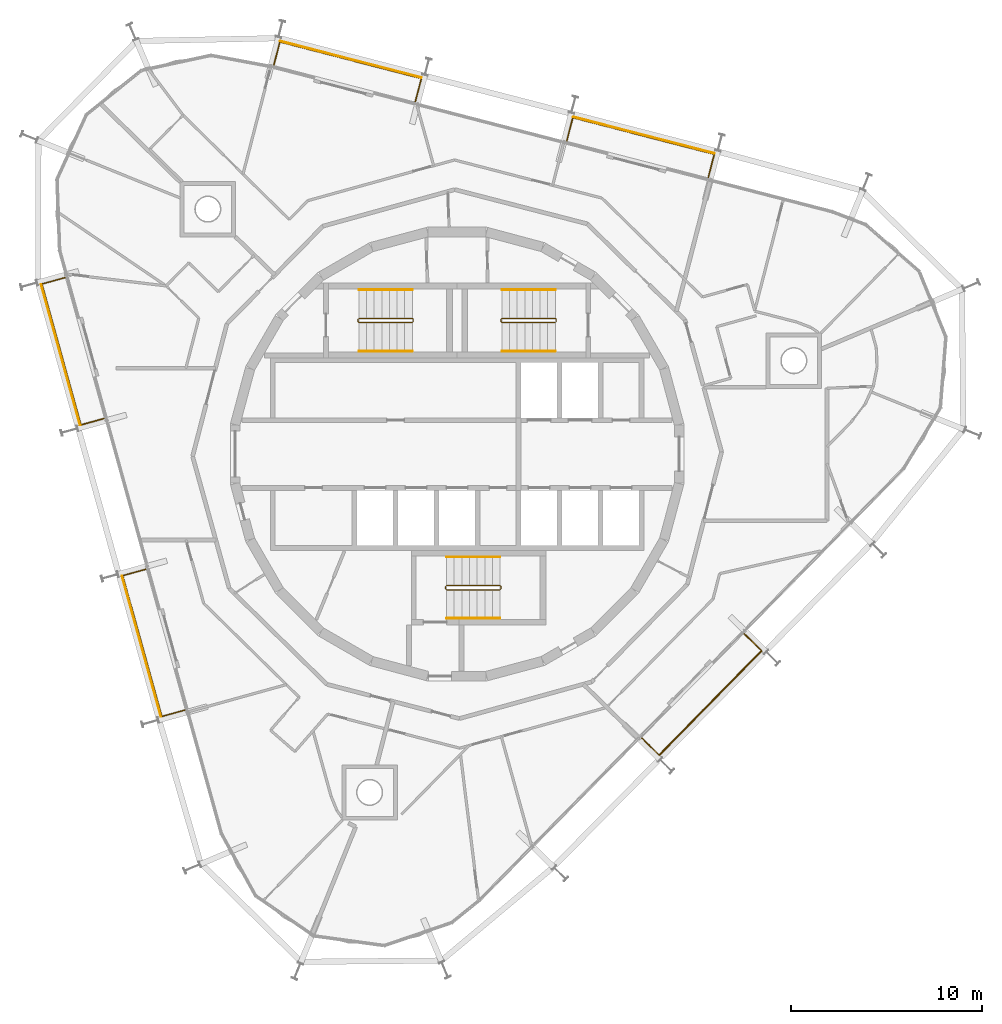
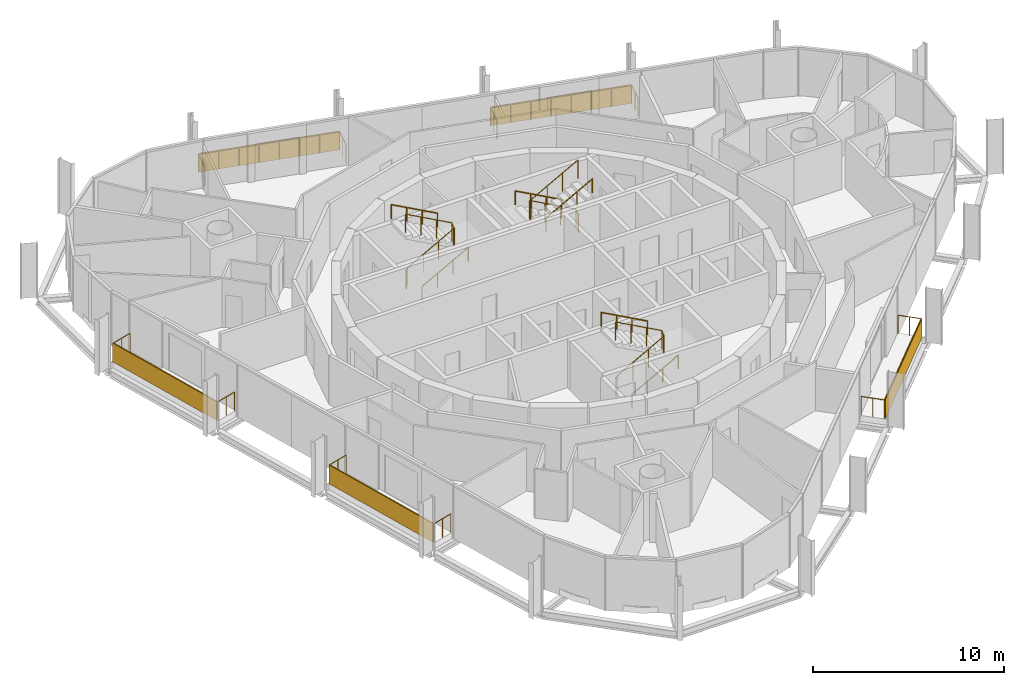
# One storey, part 15 of 15: 14 railings, 5 shading devices.
"""IFC4 building model written with IfcOpenShell, lengths in metres."""

from ifc_helpers import new_model, si_unit, direction, frame, origin, origin_2d, place, context, subcontext, project, spatial, rectangle, circle, extrude, material, layer, layer_set, type_object, element, save


model = new_model("IFC4")

# Units and contexts
model_context = context("Model", 3, precision=1e-05, world=origin(), true_north=direction((0.0, 1.0)))
body_context = subcontext(model_context, "Body", "Model", "MODEL_VIEW")
ifc_project = project(units=[si_unit("LENGTHUNIT", "METRE"), si_unit("AREAUNIT", "SQUARE_METRE"), si_unit("VOLUMEUNIT", "CUBIC_METRE"), si_unit("PLANEANGLEUNIT", "RADIAN"), si_unit("MASSUNIT", "GRAM", prefix="KILO")], contexts=[model_context])

# Site, building, storey
site_placement = place(None, origin())
site = spatial("IfcSite", under=ifc_project, at=site_placement, CompositionType="ELEMENT")
building_placement = place(site_placement, origin())
building = spatial("IfcBuilding", under=site, at=building_placement, Name="Spindle Arch Residences", CompositionType="ELEMENT")
storey_placement = place(building_placement, frame((0.0, 0.0, 315.699951171875)))
storey = spatial("IfcBuildingStorey", under=building, at=storey_placement, Name="L81", CompositionType="ELEMENT", Elevation=315.699951171875)

# Railings
ifc_material_1 = material(Name="Bronze anodised aluminium guard with glass infill", Category="aluminium")
railing_type_1 = type_object("IfcRailingType", Name="Balcony guard 1200", PredefinedType="GUARDRAIL", material=ifc_material_1)
railing_1_placement = place(storey_placement, frame((13.17724609375, 14.517822265625, 0.0)))
element("IfcRailing", 1, at=railing_1_placement, inside=storey, type_object=railing_type_1, Name="Guard L81 bay 6", PredefinedType="GUARDRAIL", context=body_context, shape_type="SweptSolid", body=[
    extrude(circle(Radius=0.02392578125, at=origin_2d()), frame((0.0, 0.0, 1.17578125), z_axis=(0.250385978254, 0.968146095325, 0.0), x_axis=(-0.968146095325, 0.250385978254, 0.0)), (0.0, 0.0, 1.0), 1.25),
    extrude(circle(Radius=0.02392578125, at=origin_2d()), frame((0.31298828125, 1.210205078125, 1.17578125), z_axis=(-0.968154898372, 0.250351937795, 0.0), x_axis=(-0.250351937795, -0.968154898372, 0.0)), (0.0, 0.0, 1.0), 7.6650390625),
    extrude(circle(Radius=0.02392578125, at=origin_2d()), frame((-7.10791015625, 3.129150390625, 1.17578125), z_axis=(-0.250433331774, -0.968133847325, 0.0), x_axis=(0.968133847325, -0.250433331774, 0.0)), (0.0, 0.0, 1.0), 1.249755859375),
    extrude(circle(Radius=0.02099609375, at=origin_2d()), origin(), (0.0, 0.0, 1.0), 1.15185546875),
    extrude(circle(Radius=0.02099609375, at=origin_2d()), frame((0.156494140625, 0.60498046875, 0.0)), (0.0, 0.0, 1.0), 1.15185546875),
    extrude(circle(Radius=0.02099609375, at=origin_2d()), frame((0.31298828125, 1.210205078125, 0.0)), (0.0, 0.0, 1.0), 1.15185546875),
    extrude(circle(Radius=0.02099609375, at=origin_2d()), frame((-0.7470703125, 1.484375, 0.0)), (0.0, 0.0, 1.0), 1.15185546875),
    extrude(circle(Radius=0.02099609375, at=origin_2d()), frame((-1.807373046875, 1.758544921875, 0.0)), (0.0, 0.0, 1.0), 1.15185546875),
    extrude(circle(Radius=0.02099609375, at=origin_2d()), frame((-2.867431640625, 2.03271484375, 0.0)), (0.0, 0.0, 1.0), 1.15185546875),
    extrude(circle(Radius=0.02099609375, at=origin_2d()), frame((-3.927490234375, 2.306640625, 0.0)), (0.0, 0.0, 1.0), 1.15185546875),
    extrude(circle(Radius=0.02099609375, at=origin_2d()), frame((-4.987548828125, 2.580810546875, 0.0)), (0.0, 0.0, 1.0), 1.15185546875),
    extrude(circle(Radius=0.02099609375, at=origin_2d()), frame((-6.0478515625, 2.85498046875, 0.0)), (0.0, 0.0, 1.0), 1.15185546875),
    extrude(circle(Radius=0.02099609375, at=origin_2d()), frame((-7.10791015625, 3.129150390625, 0.0)), (0.0, 0.0, 1.0), 1.15185546875),
    extrude(circle(Radius=0.02099609375, at=origin_2d()), frame((-7.264404296875, 2.524169921875, 0.0)), (0.0, 0.0, 1.0), 1.15185546875),
    extrude(circle(Radius=0.02099609375, at=origin_2d()), frame((-7.4208984375, 1.919189453125, 0.0)), (0.0, 0.0, 1.0), 1.15185546875),
])
railing_2_placement = place(storey_placement, frame((-2.1875, 18.4912109375, 0.0)))
element("IfcRailing", 2, at=railing_2_placement, inside=storey, type_object=railing_type_1, Name="Guard L81 bay 8", PredefinedType="GUARDRAIL", context=body_context, shape_type="SweptSolid", body=[
    extrude(circle(Radius=0.02392578125, at=origin_2d()), frame((0.0, 0.0, 1.17578125), z_axis=(0.250385978254, 0.968146095325, 0.0), x_axis=(-0.968146095325, 0.250385978254, 0.0)), (0.0, 0.0, 1.0), 1.25),
    extrude(circle(Radius=0.02392578125, at=origin_2d()), frame((0.31298828125, 1.210205078125, 1.17578125), z_axis=(-0.968147177851, 0.250381792508, 0.0), x_axis=(-0.250381792508, -0.968147177851, 0.0)), (0.0, 0.0, 1.0), 7.6650390625),
    extrude(circle(Radius=0.02392578125, at=origin_2d()), frame((-7.10791015625, 3.12939453125, 1.17578125), z_axis=(-0.250385978254, -0.968146095325, 0.0), x_axis=(0.968146095325, -0.250385978254, 0.0)), (0.0, 0.0, 1.0), 1.25),
    extrude(circle(Radius=0.02099609375, at=origin_2d()), origin(), (0.0, 0.0, 1.0), 1.15185546875),
    extrude(circle(Radius=0.02099609375, at=origin_2d()), frame((0.156494140625, 0.60498046875, 0.0)), (0.0, 0.0, 1.0), 1.15185546875),
    extrude(circle(Radius=0.02099609375, at=origin_2d()), frame((0.31298828125, 1.210205078125, 0.0)), (0.0, 0.0, 1.0), 1.15185546875),
    extrude(circle(Radius=0.02099609375, at=origin_2d()), frame((-0.7470703125, 1.484375, 0.0)), (0.0, 0.0, 1.0), 1.15185546875),
    extrude(circle(Radius=0.02099609375, at=origin_2d()), frame((-1.807373046875, 1.758544921875, 0.0)), (0.0, 0.0, 1.0), 1.15185546875),
    extrude(circle(Radius=0.02099609375, at=origin_2d()), frame((-2.867431640625, 2.03271484375, 0.0)), (0.0, 0.0, 1.0), 1.15185546875),
    extrude(circle(Radius=0.02099609375, at=origin_2d()), frame((-3.927490234375, 2.306884765625, 0.0)), (0.0, 0.0, 1.0), 1.15185546875),
    extrude(circle(Radius=0.02099609375, at=origin_2d()), frame((-4.987548828125, 2.5810546875, 0.0)), (0.0, 0.0, 1.0), 1.15185546875),
    extrude(circle(Radius=0.02099609375, at=origin_2d()), frame((-6.0478515625, 2.855224609375, 0.0)), (0.0, 0.0, 1.0), 1.15185546875),
    extrude(circle(Radius=0.02099609375, at=origin_2d()), frame((-7.10791015625, 3.12939453125, 0.0)), (0.0, 0.0, 1.0), 1.15185546875),
    extrude(circle(Radius=0.02099609375, at=origin_2d()), frame((-7.264404296875, 2.5244140625, 0.0)), (0.0, 0.0, 1.0), 1.15185546875),
    extrude(circle(Radius=0.02099609375, at=origin_2d()), frame((-7.4208984375, 1.919189453125, 0.0)), (0.0, 0.0, 1.0), 1.15185546875),
])
railing_3_placement = place(storey_placement, frame((-20.574951171875, 9.250732421875, 0.0)))
element("IfcRailing", 3, at=railing_3_placement, inside=storey, type_object=railing_type_1, Name="Guard L81 bay 12", PredefinedType="GUARDRAIL", context=body_context, shape_type="SweptSolid", body=[
    extrude(circle(Radius=0.02392578125, at=origin_2d()), frame((0.0, 0.0, 1.17578125), z_axis=(-0.963596211055, -0.267361818592, 0.0), x_axis=(0.267361818592, -0.963596211055, 0.0)), (0.0, 0.0, 1.0), 1.25),
    extrude(circle(Radius=0.02392578125, at=origin_2d()), frame((-1.20458984375, -0.334228515625, 1.17578125), z_axis=(0.267233148219, -0.963631903007, 0.0), x_axis=(0.963631903007, 0.267233148219, 0.0)), (0.0, 0.0, 1.0), 7.6650390625),
    extrude(circle(Radius=0.02392578125, at=origin_2d()), frame((0.84375, -7.720458984375, 1.17578125), z_axis=(0.963646510798, 0.267180467526, 0.0), x_axis=(-0.267180467526, 0.963646510798, 0.0)), (0.0, 0.0, 1.0), 1.25),
    extrude(circle(Radius=0.02099609375, at=origin_2d()), origin(), (0.0, 0.0, 1.0), 1.15185546875),
    extrude(circle(Radius=0.02099609375, at=origin_2d()), frame((-0.602294921875, -0.1669921875, 0.0)), (0.0, 0.0, 1.0), 1.15185546875),
    extrude(circle(Radius=0.02099609375, at=origin_2d()), frame((-1.20458984375, -0.334228515625, 0.0)), (0.0, 0.0, 1.0), 1.15185546875),
    extrude(circle(Radius=0.02099609375, at=origin_2d()), frame((-0.911865234375, -1.389404296875, 0.0)), (0.0, 0.0, 1.0), 1.15185546875),
    extrude(circle(Radius=0.02099609375, at=origin_2d()), frame((-0.619384765625, -2.444580078125, 0.0)), (0.0, 0.0, 1.0), 1.15185546875),
    extrude(circle(Radius=0.02099609375, at=origin_2d()), frame((-0.32666015625, -3.499755859375, 0.0)), (0.0, 0.0, 1.0), 1.15185546875),
    extrude(circle(Radius=0.02099609375, at=origin_2d()), frame((-0.0341796875, -4.554931640625, 0.0)), (0.0, 0.0, 1.0), 1.15185546875),
    extrude(circle(Radius=0.02099609375, at=origin_2d()), frame((0.258544921875, -5.610107421875, 0.0)), (0.0, 0.0, 1.0), 1.15185546875),
    extrude(circle(Radius=0.02099609375, at=origin_2d()), frame((0.551025390625, -6.665283203125, 0.0)), (0.0, 0.0, 1.0), 1.15185546875),
    extrude(circle(Radius=0.02099609375, at=origin_2d()), frame((0.84375, -7.720458984375, 0.0)), (0.0, 0.0, 1.0), 1.15185546875),
    extrude(circle(Radius=0.02099609375, at=origin_2d()), frame((1.446044921875, -7.553466796875, 0.0)), (0.0, 0.0, 1.0), 1.15185546875),
    extrude(circle(Radius=0.02099609375, at=origin_2d()), frame((2.04833984375, -7.386474609375, 0.0)), (0.0, 0.0, 1.0), 1.15185546875),
])
railing_4_placement = place(storey_placement, frame((-16.333984375, -6.042236328125, 0.0)))
element("IfcRailing", 4, at=railing_4_placement, inside=storey, type_object=railing_type_1, Name="Guard L81 bay 14", PredefinedType="GUARDRAIL", context=body_context, shape_type="SweptSolid", body=[
    extrude(circle(Radius=0.02392578125, at=origin_2d()), frame((0.0, 0.0, 1.17578125), z_axis=(-0.963596211055, -0.267361818592, 0.0), x_axis=(0.267361818592, -0.963596211055, 0.0)), (0.0, 0.0, 1.0), 1.25),
    extrude(circle(Radius=0.02392578125, at=origin_2d()), frame((-1.20458984375, -0.334228515625, 1.17578125), z_axis=(0.267262724609, -0.963623700432, 0.0), x_axis=(0.963623700432, 0.267262724609, 0.0)), (0.0, 0.0, 1.0), 7.6650390625),
    extrude(circle(Radius=0.02392578125, at=origin_2d()), frame((0.843994140625, -7.720458984375, 1.17578125), z_axis=(0.963632564766, 0.26723076193, 0.0), x_axis=(-0.26723076193, 0.963632564766, 0.0)), (0.0, 0.0, 1.0), 1.249755859375),
    extrude(circle(Radius=0.02099609375, at=origin_2d()), origin(), (0.0, 0.0, 1.0), 1.15185546875),
    extrude(circle(Radius=0.02099609375, at=origin_2d()), frame((-0.602294921875, -0.1669921875, 0.0)), (0.0, 0.0, 1.0), 1.15185546875),
    extrude(circle(Radius=0.02099609375, at=origin_2d()), frame((-1.20458984375, -0.334228515625, 0.0)), (0.0, 0.0, 1.0), 1.15185546875),
    extrude(circle(Radius=0.02099609375, at=origin_2d()), frame((-0.911865234375, -1.389404296875, 0.0)), (0.0, 0.0, 1.0), 1.15185546875),
    extrude(circle(Radius=0.02099609375, at=origin_2d()), frame((-0.619384765625, -2.444580078125, 0.0)), (0.0, 0.0, 1.0), 1.15185546875),
    extrude(circle(Radius=0.02099609375, at=origin_2d()), frame((-0.32666015625, -3.499755859375, 0.0)), (0.0, 0.0, 1.0), 1.15185546875),
    extrude(circle(Radius=0.02099609375, at=origin_2d()), frame((-0.033935546875, -4.554931640625, 0.0)), (0.0, 0.0, 1.0), 1.15185546875),
    extrude(circle(Radius=0.02099609375, at=origin_2d()), frame((0.2587890625, -5.610107421875, 0.0)), (0.0, 0.0, 1.0), 1.15185546875),
    extrude(circle(Radius=0.02099609375, at=origin_2d()), frame((0.55126953125, -6.665283203125, 0.0)), (0.0, 0.0, 1.0), 1.15185546875),
    extrude(circle(Radius=0.02099609375, at=origin_2d()), frame((0.843994140625, -7.720458984375, 0.0)), (0.0, 0.0, 1.0), 1.15185546875),
    extrude(circle(Radius=0.02099609375, at=origin_2d()), frame((1.4462890625, -7.553466796875, 0.0)), (0.0, 0.0, 1.0), 1.15185546875),
    extrude(circle(Radius=0.02099609375, at=origin_2d()), frame((2.04833984375, -7.386474609375, 0.0)), (0.0, 0.0, 1.0), 1.15185546875),
])
railing_5_placement = place(storey_placement, frame((9.69189453125, -14.8974609375, 0.0)))
element("IfcRailing", 5, at=railing_5_placement, inside=storey, type_object=railing_type_1, Name="Guard L81 bay 20", PredefinedType="GUARDRAIL", context=body_context, shape_type="SweptSolid", body=[
    extrude(circle(Radius=0.02392578125, at=origin_2d()), frame((0.0, 0.0, 1.17578125), z_axis=(0.713231937859, -0.700928101034, 0.0), x_axis=(0.700928101034, 0.713231937859, 0.0)), (0.0, 0.0, 1.0), 1.25),
    extrude(circle(Radius=0.02392578125, at=origin_2d()), frame((0.8916015625, -0.876220703125, 1.17578125), z_axis=(0.700916720912, 0.713243121485, 0.0), x_axis=(-0.713243121485, 0.700916720912, 0.0)), (0.0, 0.0, 1.0), 7.6650390625),
    extrude(circle(Radius=0.02392578125, at=origin_2d()), frame((6.26416015625, 4.5908203125, 1.17578125), z_axis=(-0.713231937859, 0.700928101034, 0.0), x_axis=(-0.700928101034, -0.713231937859, 0.0)), (0.0, 0.0, 1.0), 1.25),
    extrude(circle(Radius=0.02099609375, at=origin_2d()), origin(), (0.0, 0.0, 1.0), 1.15185546875),
    extrude(circle(Radius=0.02099609375, at=origin_2d()), frame((0.44580078125, -0.43798828125, 0.0)), (0.0, 0.0, 1.0), 1.15185546875),
    extrude(circle(Radius=0.02099609375, at=origin_2d()), frame((0.8916015625, -0.876220703125, 0.0)), (0.0, 0.0, 1.0), 1.15185546875),
    extrude(circle(Radius=0.02099609375, at=origin_2d()), frame((1.6591796875, -0.09521484375, 0.0)), (0.0, 0.0, 1.0), 1.15185546875),
    extrude(circle(Radius=0.02099609375, at=origin_2d()), frame((2.426513671875, 0.685791015625, 0.0)), (0.0, 0.0, 1.0), 1.15185546875),
    extrude(circle(Radius=0.02099609375, at=origin_2d()), frame((3.194091796875, 1.466796875, 0.0)), (0.0, 0.0, 1.0), 1.15185546875),
    extrude(circle(Radius=0.02099609375, at=origin_2d()), frame((3.961669921875, 2.247802734375, 0.0)), (0.0, 0.0, 1.0), 1.15185546875),
    extrude(circle(Radius=0.02099609375, at=origin_2d()), frame((4.729248046875, 3.02880859375, 0.0)), (0.0, 0.0, 1.0), 1.15185546875),
    extrude(circle(Radius=0.02099609375, at=origin_2d()), frame((5.49658203125, 3.809814453125, 0.0)), (0.0, 0.0, 1.0), 1.15185546875),
    extrude(circle(Radius=0.02099609375, at=origin_2d()), frame((6.26416015625, 4.5908203125, 0.0)), (0.0, 0.0, 1.0), 1.15185546875),
    extrude(circle(Radius=0.02099609375, at=origin_2d()), frame((5.818359375, 5.02880859375, 0.0)), (0.0, 0.0, 1.0), 1.15185546875),
    extrude(circle(Radius=0.02099609375, at=origin_2d()), frame((5.37255859375, 5.467041015625, 0.0)), (0.0, 0.0, 1.0), 1.15185546875),
])

# Shading devices
ifc_material_2 = material(Name="Bronze perforated cobogo screen")
ifc_layer = layer(ifc_material_2, 0.0390625)
ifc_layer_set = layer_set([ifc_layer], Name="Cobogo screen 1200")
shading_device_type = type_object("IfcShadingDeviceType", Name="Cobogo screen 1200", PredefinedType="USERDEFINED", material=ifc_layer_set)
for number, where, z_axis, x_axis, name in (
    (6, (9.7900390625, 16.726806640625, 0.0), (0.0, 0.0, 1.0), (-0.968147640378, 0.250380004054, 0.0), "Cobogo screen L81 bay 6"),
    (7, (-5.57470703125, 20.7001953125, 0.0), (0.0, 0.0, 1.0), (-0.968147640378, 0.250380004054, 0.0), "Cobogo screen L81 bay 8"),
    (8, (-20.79443359375, 5.212646484375, 0.0), (0.0, 0.0, 1.0), (0.267238376078, -0.963630453209, 0.0), "Cobogo screen L81 bay 12"),
    (9, (-16.55322265625, -10.080322265625, 0.0), (0.0, 0.0, 1.0), (0.267238376078, -0.963630453209, 0.0), "Cobogo screen L81 bay 14"),
    (10, (13.298583984375, -13.068603515625, 0.0), (0.0, 0.0, 1.0), (0.7009092643, 0.713250449154, 0.0), "Cobogo screen L81 bay 20"),
):
    element("IfcShadingDevice", number, at=place(storey_placement, frame(where, z_axis=z_axis, x_axis=x_axis)), inside=storey, type_object=shading_device_type, Name=name, ObjectType="SCREEN", PredefinedType="USERDEFINED", context=body_context, shape_type="SweptSolid", body=[
        extrude(rectangle(XDim=7.6650390625, YDim=0.0390625, at=origin_2d()), origin(), (0.0, 0.0, 1.0), 1.199951171875),
    ])

# Railings
ifc_material_3 = material(Name="Steel, painted", Category="steel")
railing_type_2 = type_object("IfcRailingType", Name="Stair guard 1100", PredefinedType="GUARDRAIL", material=ifc_material_3)
railing_6_placement = place(storey_placement, frame((5.14990234375, 6.89990234375, 3.5)))
element("IfcRailing", 11, at=railing_6_placement, inside=storey, type_object=railing_type_2, Name="L81 ST1 stair guard 1", PredefinedType="GUARDRAIL", context=body_context, shape_type="SweptSolid", body=[
    extrude(circle(Radius=0.02392578125, at=origin_2d()), frame((0.0, 0.0, 1.17578125), z_axis=(-0.877357048833, 0.0, -0.479838106931), x_axis=(0.0, -1.0, 0.0)), (0.0, 0.0, 1.0), 3.191162109375),
    extrude(circle(Radius=0.02392578125, at=origin_2d()), frame((-2.7998046875, 0.0, -0.35546875), z_axis=(-0.217683172539, 0.217683172539, -0.951434744366), x_axis=(-0.707106781187, -0.707106781187, 0.0)), (0.0, 0.0, 1.0), 0.22998046875),
    extrude(circle(Radius=0.02392578125, at=origin_2d()), frame((-2.849853515625, 0.050048828125, -0.57421875), z_axis=(0.0, 1.0, 0.0), x_axis=(-1.0, 0.0, 0.0)), (0.0, 0.0, 1.0), 0.1201171875),
    extrude(circle(Radius=0.02392578125, at=origin_2d()), frame((-2.849853515625, 0.170166015625, -0.57421875), z_axis=(0.707106781187, 0.707106781187, 0.0), x_axis=(-0.707106781187, 0.707106781187, 0.0)), (0.0, 0.0, 1.0), 0.07080078125),
    extrude(circle(Radius=0.02392578125, at=origin_2d()), frame((-2.7998046875, 0.22021484375, -0.57421875), z_axis=(0.877357048833, 0.0, -0.479838106931), x_axis=(0.0, 1.0, 0.0)), (0.0, 0.0, 1.0), 3.191162109375),
    extrude(circle(Radius=0.02392578125, at=origin_2d()), frame((0.0, 0.22021484375, -2.10546875), z_axis=(0.217683172539, -0.217683172539, -0.951434744366), x_axis=(0.707106781187, 0.707106781187, 0.0)), (0.0, 0.0, 1.0), 0.22998046875),
    extrude(circle(Radius=0.02392578125, at=origin_2d()), frame((0.050048828125, 0.170166015625, -2.32421875), z_axis=(0.0, -1.0, 0.0), x_axis=(1.0, 0.0, 0.0)), (0.0, 0.0, 1.0), 0.1201171875),
    extrude(circle(Radius=0.02099609375, at=origin_2d()), origin(), (0.0, 0.0, 1.0), 1.15185546875),
    extrude(circle(Radius=0.02099609375, at=origin_2d()), frame((-0.933349609375, 0.0, -0.510498046875)), (0.0, 0.0, 1.0), 1.15185546875),
    extrude(circle(Radius=0.02099609375, at=origin_2d()), frame((-1.866455078125, 0.0, -1.020751953125)), (0.0, 0.0, 1.0), 1.15185546875),
    extrude(circle(Radius=0.02099609375, at=origin_2d()), frame((-2.7998046875, 0.0, -1.53125)), (0.0, 0.0, 1.0), 1.15185546875),
    extrude(circle(Radius=0.02099609375, at=origin_2d()), frame((-2.849853515625, 0.050048828125, -1.75)), (0.0, 0.0, 1.0), 1.15185546875),
    extrude(circle(Radius=0.02099609375, at=origin_2d()), frame((-2.849853515625, 0.170166015625, -1.75)), (0.0, 0.0, 1.0), 1.15185546875),
    extrude(circle(Radius=0.02099609375, at=origin_2d()), frame((-2.7998046875, 0.22021484375, -1.75)), (0.0, 0.0, 1.0), 1.15185546875),
    extrude(circle(Radius=0.02099609375, at=origin_2d()), frame((-1.866455078125, 0.22021484375, -2.260498046875)), (0.0, 0.0, 1.0), 1.15185546875),
    extrude(circle(Radius=0.02099609375, at=origin_2d()), frame((-0.933349609375, 0.22021484375, -2.770751953125)), (0.0, 0.0, 1.0), 1.15185546875),
    extrude(circle(Radius=0.02099609375, at=origin_2d()), frame((0.0, 0.22021484375, -3.28125)), (0.0, 0.0, 1.0), 1.15185546875),
    extrude(circle(Radius=0.02099609375, at=origin_2d()), frame((0.050048828125, 0.170166015625, -3.5)), (0.0, 0.0, 1.0), 1.15185546875),
    extrude(circle(Radius=0.02099609375, at=origin_2d()), frame((0.050048828125, 0.050048828125, -3.5)), (0.0, 0.0, 1.0), 1.15185546875),
])
railing_7_placement = place(storey_placement, frame((-5.14990234375, 7.1201171875, 3.5)))
element("IfcRailing", 12, at=railing_7_placement, inside=storey, type_object=railing_type_2, Name="L81 ST2 stair guard 1", PredefinedType="GUARDRAIL", context=body_context, shape_type="SweptSolid", body=[
    extrude(circle(Radius=0.02392578125, at=origin_2d()), frame((0.0, 0.0, 1.17578125), z_axis=(0.877357048833, 0.0, -0.479838106931), x_axis=(0.0, 1.0, 0.0)), (0.0, 0.0, 1.0), 3.191162109375),
    extrude(circle(Radius=0.02392578125, at=origin_2d()), frame((2.7998046875, 0.0, -0.35546875), z_axis=(0.217683172539, -0.217683172539, -0.951434744366), x_axis=(0.707106781187, 0.707106781187, 0.0)), (0.0, 0.0, 1.0), 0.22998046875),
    extrude(circle(Radius=0.02392578125, at=origin_2d()), frame((2.849853515625, -0.050048828125, -0.57421875), z_axis=(0.0, -1.0, 0.0), x_axis=(1.0, 0.0, 0.0)), (0.0, 0.0, 1.0), 0.1201171875),
    extrude(circle(Radius=0.02392578125, at=origin_2d()), frame((2.849853515625, -0.170166015625, -0.57421875), z_axis=(-0.707106781187, -0.707106781187, 0.0), x_axis=(0.707106781187, -0.707106781187, 0.0)), (0.0, 0.0, 1.0), 0.07080078125),
    extrude(circle(Radius=0.02392578125, at=origin_2d()), frame((2.7998046875, -0.22021484375, -0.57421875), z_axis=(-0.877357048833, 0.0, -0.479838106931), x_axis=(0.0, -1.0, 0.0)), (0.0, 0.0, 1.0), 3.191162109375),
    extrude(circle(Radius=0.02392578125, at=origin_2d()), frame((0.0, -0.22021484375, -2.10546875), z_axis=(-0.217683172539, 0.217683172539, -0.951434744366), x_axis=(-0.707106781187, -0.707106781187, 0.0)), (0.0, 0.0, 1.0), 0.22998046875),
    extrude(circle(Radius=0.02392578125, at=origin_2d()), frame((-0.050048828125, -0.170166015625, -2.32421875), z_axis=(0.0, 1.0, 0.0), x_axis=(-1.0, 0.0, 0.0)), (0.0, 0.0, 1.0), 0.1201171875),
    extrude(circle(Radius=0.02099609375, at=origin_2d()), origin(), (0.0, 0.0, 1.0), 1.15185546875),
    extrude(circle(Radius=0.02099609375, at=origin_2d()), frame((0.933349609375, 0.0, -0.510498046875)), (0.0, 0.0, 1.0), 1.15185546875),
    extrude(circle(Radius=0.02099609375, at=origin_2d()), frame((1.866455078125, 0.0, -1.020751953125)), (0.0, 0.0, 1.0), 1.15185546875),
    extrude(circle(Radius=0.02099609375, at=origin_2d()), frame((2.7998046875, 0.0, -1.53125)), (0.0, 0.0, 1.0), 1.15185546875),
    extrude(circle(Radius=0.02099609375, at=origin_2d()), frame((2.849853515625, -0.050048828125, -1.75)), (0.0, 0.0, 1.0), 1.15185546875),
    extrude(circle(Radius=0.02099609375, at=origin_2d()), frame((2.849853515625, -0.170166015625, -1.75)), (0.0, 0.0, 1.0), 1.15185546875),
    extrude(circle(Radius=0.02099609375, at=origin_2d()), frame((2.7998046875, -0.22021484375, -1.75)), (0.0, 0.0, 1.0), 1.15185546875),
    extrude(circle(Radius=0.02099609375, at=origin_2d()), frame((1.866455078125, -0.22021484375, -2.260498046875)), (0.0, 0.0, 1.0), 1.15185546875),
    extrude(circle(Radius=0.02099609375, at=origin_2d()), frame((0.933349609375, -0.22021484375, -2.770751953125)), (0.0, 0.0, 1.0), 1.15185546875),
    extrude(circle(Radius=0.02099609375, at=origin_2d()), frame((0.0, -0.22021484375, -3.28125)), (0.0, 0.0, 1.0), 1.15185546875),
    extrude(circle(Radius=0.02099609375, at=origin_2d()), frame((-0.050048828125, -0.170166015625, -3.5)), (0.0, 0.0, 1.0), 1.15185546875),
    extrude(circle(Radius=0.02099609375, at=origin_2d()), frame((-0.050048828125, -0.050048828125, -3.5)), (0.0, 0.0, 1.0), 1.15185546875),
])
railing_8_placement = place(storey_placement, frame((-0.550048828125, -6.89990234375, 3.5)))
element("IfcRailing", 13, at=railing_8_placement, inside=storey, type_object=railing_type_2, Name="L81 ST3 stair guard 1", PredefinedType="GUARDRAIL", context=body_context, shape_type="SweptSolid", body=[
    extrude(circle(Radius=0.02392578125, at=origin_2d()), frame((0.0, 0.0, 1.17578125), z_axis=(0.877374661878, 0.0, -0.479805901063), x_axis=(0.0, 1.0, 0.0)), (0.0, 0.0, 1.0), 3.19140625),
    extrude(circle(Radius=0.02392578125, at=origin_2d()), frame((2.800048828125, 0.0, -0.35546875), z_axis=(0.217683172539, -0.217683172539, -0.951434744366), x_axis=(0.707106781187, 0.707106781187, 0.0)), (0.0, 0.0, 1.0), 0.22998046875),
    extrude(circle(Radius=0.02392578125, at=origin_2d()), frame((2.85009765625, -0.050048828125, -0.57421875), z_axis=(0.0, -1.0, 0.0), x_axis=(1.0, 0.0, 0.0)), (0.0, 0.0, 1.0), 0.1201171875),
    extrude(circle(Radius=0.02392578125, at=origin_2d()), frame((2.85009765625, -0.170166015625, -0.57421875), z_axis=(-0.707106781187, -0.707106781187, 0.0), x_axis=(0.707106781187, -0.707106781187, 0.0)), (0.0, 0.0, 1.0), 0.07080078125),
    extrude(circle(Radius=0.02392578125, at=origin_2d()), frame((2.800048828125, -0.22021484375, -0.57421875), z_axis=(-0.877374661878, 0.0, -0.479805901063), x_axis=(0.0, -1.0, 0.0)), (0.0, 0.0, 1.0), 3.19140625),
    extrude(circle(Radius=0.02392578125, at=origin_2d()), frame((0.0, -0.22021484375, -2.10546875), z_axis=(-0.217683172539, 0.217683172539, -0.951434744366), x_axis=(-0.707106781187, -0.707106781187, 0.0)), (0.0, 0.0, 1.0), 0.22998046875),
    extrude(circle(Radius=0.02392578125, at=origin_2d()), frame((-0.050048828125, -0.170166015625, -2.32421875), z_axis=(0.0, 1.0, 0.0), x_axis=(-1.0, 0.0, 0.0)), (0.0, 0.0, 1.0), 0.1201171875),
    extrude(circle(Radius=0.02099609375, at=origin_2d()), origin(), (0.0, 0.0, 1.0), 1.15185546875),
    extrude(circle(Radius=0.02099609375, at=origin_2d()), frame((0.933349609375, 0.0, -0.510498046875)), (0.0, 0.0, 1.0), 1.15185546875),
    extrude(circle(Radius=0.02099609375, at=origin_2d()), frame((1.86669921875, 0.0, -1.020751953125)), (0.0, 0.0, 1.0), 1.15185546875),
    extrude(circle(Radius=0.02099609375, at=origin_2d()), frame((2.800048828125, 0.0, -1.53125)), (0.0, 0.0, 1.0), 1.15185546875),
    extrude(circle(Radius=0.02099609375, at=origin_2d()), frame((2.85009765625, -0.050048828125, -1.75)), (0.0, 0.0, 1.0), 1.15185546875),
    extrude(circle(Radius=0.02099609375, at=origin_2d()), frame((2.85009765625, -0.170166015625, -1.75)), (0.0, 0.0, 1.0), 1.15185546875),
    extrude(circle(Radius=0.02099609375, at=origin_2d()), frame((2.800048828125, -0.22021484375, -1.75)), (0.0, 0.0, 1.0), 1.15185546875),
    extrude(circle(Radius=0.02099609375, at=origin_2d()), frame((1.86669921875, -0.22021484375, -2.260498046875)), (0.0, 0.0, 1.0), 1.15185546875),
    extrude(circle(Radius=0.02099609375, at=origin_2d()), frame((0.933349609375, -0.22021484375, -2.770751953125)), (0.0, 0.0, 1.0), 1.15185546875),
    extrude(circle(Radius=0.02099609375, at=origin_2d()), frame((0.0, -0.22021484375, -3.28125)), (0.0, 0.0, 1.0), 1.15185546875),
    extrude(circle(Radius=0.02099609375, at=origin_2d()), frame((-0.050048828125, -0.170166015625, -3.5)), (0.0, 0.0, 1.0), 1.15185546875),
    extrude(circle(Radius=0.02099609375, at=origin_2d()), frame((-0.050048828125, -0.050048828125, -3.5)), (0.0, 0.0, 1.0), 1.15185546875),
])
ifc_material_4 = material(Name="Steel, painted", Category="steel")
railing_type_3 = type_object("IfcRailingType", Name="Stair handrail 900", PredefinedType="HANDRAIL", material=ifc_material_4)
railing_9_placement = place(storey_placement, frame((5.14990234375, 8.6201171875, 0.21875)))
element("IfcRailing", 14, at=railing_9_placement, inside=storey, type_object=railing_type_3, Name="L81 ST1 stair handrail 1", PredefinedType="HANDRAIL", context=body_context, shape_type="SweptSolid", body=[
    extrude(circle(Radius=0.02392578125, at=origin_2d()), frame((0.0, 0.0, 0.8759765625), z_axis=(-0.877357048833, 0.0, 0.479838106931), x_axis=(0.0, -1.0, 0.0)), (0.0, 0.0, 1.0), 3.191162109375),
    extrude(circle(Radius=0.02099609375, at=origin_2d()), origin(), (0.0, 0.0, 1.0), 0.851806640625),
    extrude(circle(Radius=0.02099609375, at=origin_2d()), frame((-0.933349609375, 0.0, 0.510498046875)), (0.0, 0.0, 1.0), 0.851806640625),
    extrude(circle(Radius=0.02099609375, at=origin_2d()), frame((-1.866455078125, 0.0, 1.020751953125)), (0.0, 0.0, 1.0), 0.851806640625),
    extrude(circle(Radius=0.02099609375, at=origin_2d()), frame((-2.7998046875, 0.0, 1.53125)), (0.0, 0.0, 1.0), 0.851806640625),
])
for number, where, name in (
    (15, (2.35009765625, 5.39990234375, 1.96875), "L81 ST1 stair handrail 2"),
    (16, (-5.14990234375, 5.39990234375, 0.21875), "L81 ST2 stair handrail 1"),
):
    element("IfcRailing", number, at=place(storey_placement, frame(where)), inside=storey, type_object=railing_type_3, Name=name, PredefinedType="HANDRAIL", context=body_context, shape_type="SweptSolid", body=[
        extrude(circle(Radius=0.02392578125, at=origin_2d()), frame((0.0, 0.0, 0.8759765625), z_axis=(0.877357048833, 0.0, 0.479838106931), x_axis=(0.0, 1.0, 0.0)), (0.0, 0.0, 1.0), 3.191162109375),
        extrude(circle(Radius=0.02099609375, at=origin_2d()), origin(), (0.0, 0.0, 1.0), 0.851806640625),
        extrude(circle(Radius=0.02099609375, at=origin_2d()), frame((0.933349609375, 0.0, 0.510498046875)), (0.0, 0.0, 1.0), 0.851806640625),
        extrude(circle(Radius=0.02099609375, at=origin_2d()), frame((1.866455078125, 0.0, 1.020751953125)), (0.0, 0.0, 1.0), 0.851806640625),
        extrude(circle(Radius=0.02099609375, at=origin_2d()), frame((2.7998046875, 0.0, 1.53125)), (0.0, 0.0, 1.0), 0.851806640625),
    ])
railing_10_placement = place(storey_placement, frame((-2.35009765625, 8.6201171875, 1.96875)))
element("IfcRailing", 17, at=railing_10_placement, inside=storey, type_object=railing_type_3, Name="L81 ST2 stair handrail 2", PredefinedType="HANDRAIL", context=body_context, shape_type="SweptSolid", body=[
    extrude(circle(Radius=0.02392578125, at=origin_2d()), frame((0.0, 0.0, 0.8759765625), z_axis=(-0.877357048833, 0.0, 0.479838106931), x_axis=(0.0, -1.0, 0.0)), (0.0, 0.0, 1.0), 3.191162109375),
    extrude(circle(Radius=0.02099609375, at=origin_2d()), origin(), (0.0, 0.0, 1.0), 0.851806640625),
    extrude(circle(Radius=0.02099609375, at=origin_2d()), frame((-0.933349609375, 0.0, 0.510498046875)), (0.0, 0.0, 1.0), 0.851806640625),
    extrude(circle(Radius=0.02099609375, at=origin_2d()), frame((-1.866455078125, 0.0, 1.020751953125)), (0.0, 0.0, 1.0), 0.851806640625),
    extrude(circle(Radius=0.02099609375, at=origin_2d()), frame((-2.7998046875, 0.0, 1.53125)), (0.0, 0.0, 1.0), 0.851806640625),
])
railing_11_placement = place(storey_placement, frame((-0.550048828125, -8.6201171875, 0.21875)))
element("IfcRailing", 18, at=railing_11_placement, inside=storey, type_object=railing_type_3, Name="L81 ST3 stair handrail 1", PredefinedType="HANDRAIL", context=body_context, shape_type="SweptSolid", body=[
    extrude(circle(Radius=0.02392578125, at=origin_2d()), frame((0.0, 0.0, 0.8759765625), z_axis=(0.877374661878, 0.0, 0.479805901063), x_axis=(0.0, 1.0, 0.0)), (0.0, 0.0, 1.0), 3.19140625),
    extrude(circle(Radius=0.02099609375, at=origin_2d()), origin(), (0.0, 0.0, 1.0), 0.851806640625),
    extrude(circle(Radius=0.02099609375, at=origin_2d()), frame((0.933349609375, 0.0, 0.510498046875)), (0.0, 0.0, 1.0), 0.851806640625),
    extrude(circle(Radius=0.02099609375, at=origin_2d()), frame((1.86669921875, 0.0, 1.020751953125)), (0.0, 0.0, 1.0), 0.851806640625),
    extrude(circle(Radius=0.02099609375, at=origin_2d()), frame((2.800048828125, 0.0, 1.53125)), (0.0, 0.0, 1.0), 0.851806640625),
])
railing_12_placement = place(storey_placement, frame((2.25, -5.39990234375, 1.96875)))
element("IfcRailing", 19, at=railing_12_placement, inside=storey, type_object=railing_type_3, Name="L81 ST3 stair handrail 2", PredefinedType="HANDRAIL", context=body_context, shape_type="SweptSolid", body=[
    extrude(circle(Radius=0.02392578125, at=origin_2d()), frame((0.0, 0.0, 0.8759765625), z_axis=(-0.877374661878, 0.0, 0.479805901063), x_axis=(0.0, -1.0, 0.0)), (0.0, 0.0, 1.0), 3.19140625),
    extrude(circle(Radius=0.02099609375, at=origin_2d()), origin(), (0.0, 0.0, 1.0), 0.851806640625),
    extrude(circle(Radius=0.02099609375, at=origin_2d()), frame((-0.933349609375, 0.0, 0.510498046875)), (0.0, 0.0, 1.0), 0.851806640625),
    extrude(circle(Radius=0.02099609375, at=origin_2d()), frame((-1.86669921875, 0.0, 1.020751953125)), (0.0, 0.0, 1.0), 0.851806640625),
    extrude(circle(Radius=0.02099609375, at=origin_2d()), frame((-2.800048828125, 0.0, 1.53125)), (0.0, 0.0, 1.0), 0.851806640625),
])

save(model, "model.ifc")
